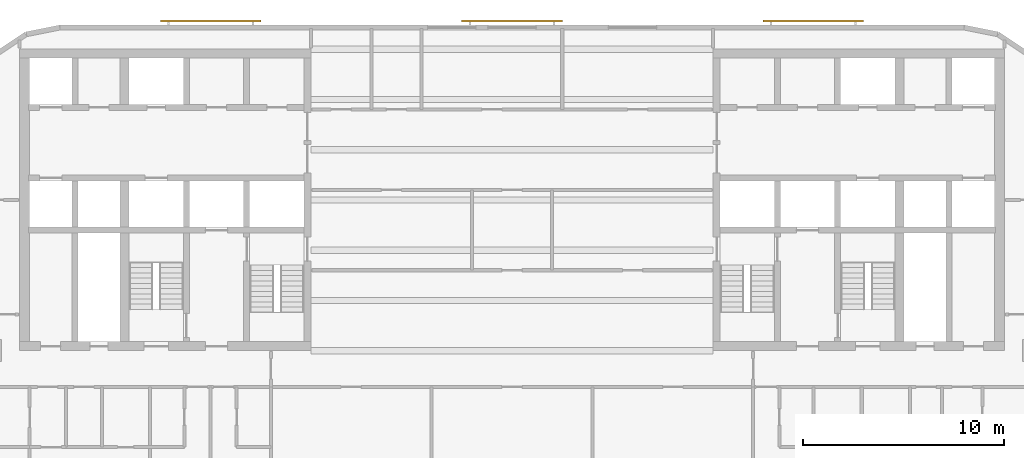
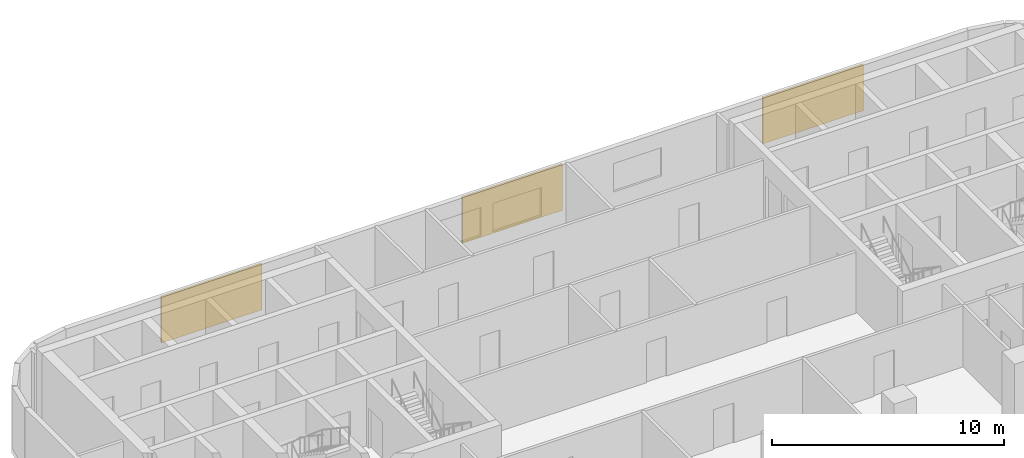
# One storey, part 10 of 11: 3 shading devices.
"""IFC4 building model written with IfcOpenShell, lengths in metres."""

from ifc_helpers import new_model, si_unit, direction, frame, origin, origin_2d, place, context, subcontext, project, spatial, rectangle, extrude, material, layer, layer_set, type_object, element, save


model = new_model("IFC4")

# Units and contexts
model_context = context("Model", 3, precision=1e-05, world=origin(), true_north=direction((0.0, 1.0)))
body_context = subcontext(model_context, "Body", "Model", "MODEL_VIEW")
ifc_project = project(units=[si_unit("LENGTHUNIT", "METRE"), si_unit("AREAUNIT", "SQUARE_METRE"), si_unit("VOLUMEUNIT", "CUBIC_METRE"), si_unit("PLANEANGLEUNIT", "RADIAN"), si_unit("MASSUNIT", "GRAM", prefix="KILO")], contexts=[model_context])

# Site, building, storey
site_placement = place(None, origin())
site = spatial("IfcSite", under=ifc_project, at=site_placement, CompositionType="ELEMENT")
building_placement = place(site_placement, origin())
building = spatial("IfcBuilding", under=site, at=building_placement, Name="Torana Hotel and Residences", CompositionType="ELEMENT")
storey_placement = place(building_placement, frame((0.0, 0.0, 190.60009765625)))
storey = spatial("IfcBuildingStorey", under=building, at=storey_placement, Name="L49", CompositionType="ELEMENT", Elevation=190.60009765625)

# Shading devices
ifc_material = material(Name="Concrete C40/50 precast", Category="concrete")
ifc_layer = layer(ifc_material, 0.10009765625)
ifc_layer_set = layer_set([ifc_layer], Name="SC1 PERFORATED BLOCK SCREEN PANEL 100")
shading_device_type = type_object("IfcShadingDeviceType", Name="SC1 PERFORATED BLOCK SCREEN PANEL 100", PredefinedType="USERDEFINED", material=ifc_layer_set)
for number, where, z_axis, x_axis, name in (
    (1, (14.983642578125, 1.39990234375, 0.5), (0.0, 0.0, 1.0), (-1.0, 0.0, 0.0), "Perforated block screen L49"),
    (2, (0.0, 1.39990234375, 0.5), (0.0, 0.0, 1.0), (-1.0, 0.0, 0.0), "Perforated block screen L49"),
    (3, (-14.983642578125, 1.39990234375, 0.5), (0.0, 0.0, 1.0), (-1.0, 0.0, 0.0), "Perforated block screen L49"),
):
    element("IfcShadingDevice", number, at=place(storey_placement, frame(where, z_axis=z_axis, x_axis=x_axis)), inside=storey, type_object=shading_device_type, Name=name, ObjectType="SCREEN", PredefinedType="USERDEFINED", context=body_context, shape_type="SweptSolid", body=[
        extrude(rectangle(XDim=5.0, YDim=0.10009765625, at=origin_2d()), origin(), (0.0, 0.0, 1.0), 2.419921875),
    ])

save(model, "model.ifc")
